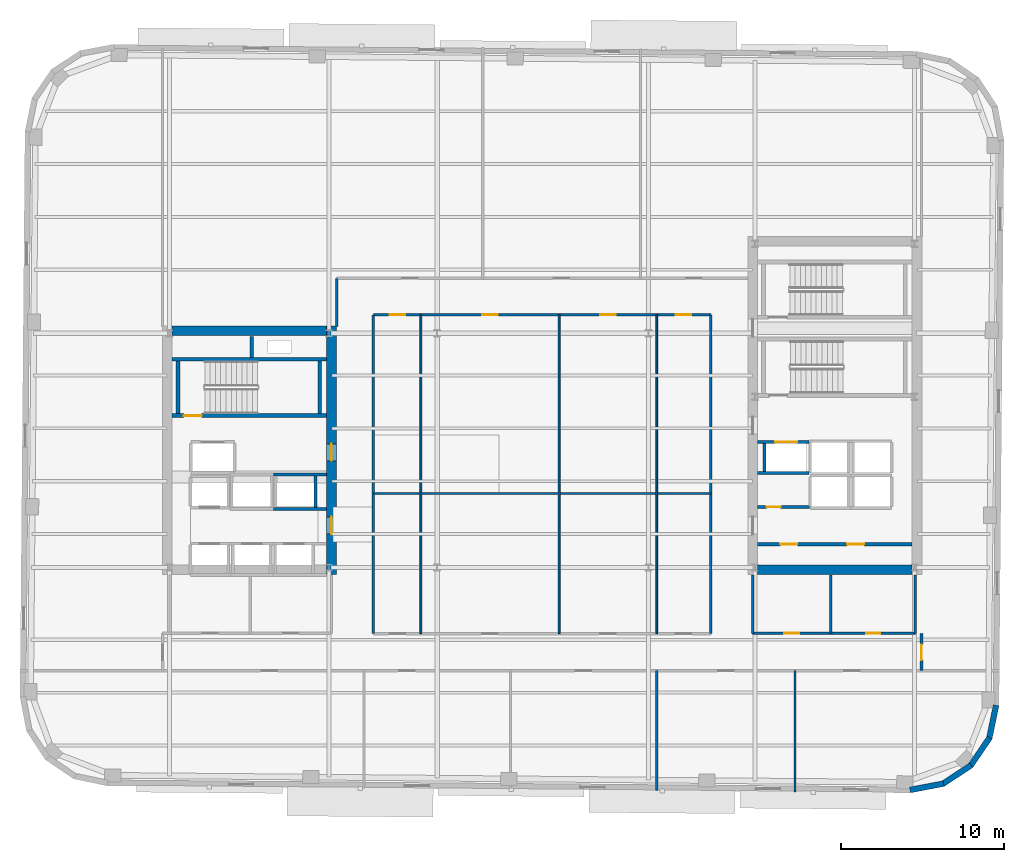
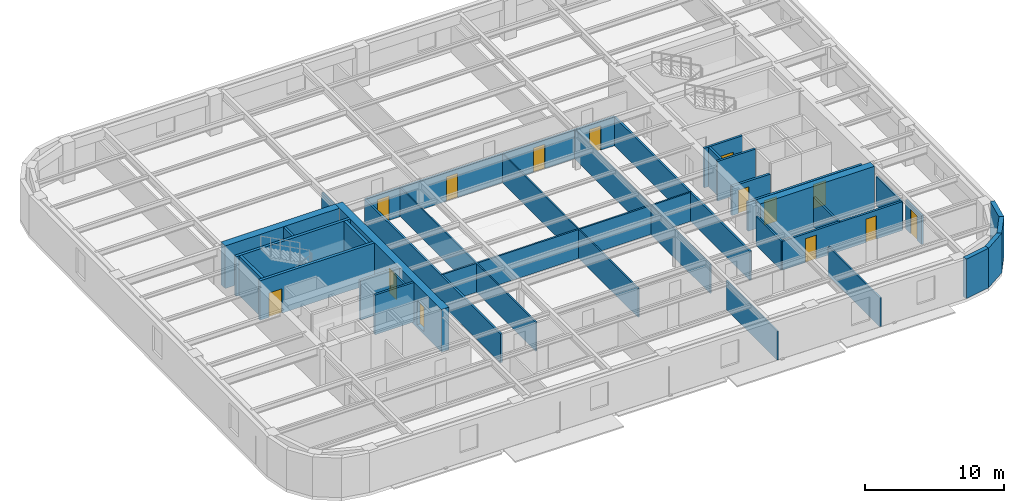
# One storey, part 5 of 11: 35 walls, 14 doors, 14 openings.
"""IFC4 building model written with IfcOpenShell, lengths in metres."""

from ifc_helpers import new_model, si_unit, direction, frame, frame_2d, origin, place, context, subcontext, project, spatial, rectangle, extrude, material, layer, layer_set, type_object, element, fill, save


model = new_model("IFC4")

# Units and contexts
model_context = context("Model", 3, precision=1e-05, world=origin(), true_north=direction((0.0, 1.0)))
body_context = subcontext(model_context, "Body", "Model", "MODEL_VIEW")
ifc_project = project(units=[si_unit("LENGTHUNIT", "METRE"), si_unit("AREAUNIT", "SQUARE_METRE"), si_unit("VOLUMEUNIT", "CUBIC_METRE"), si_unit("PLANEANGLEUNIT", "RADIAN"), si_unit("MASSUNIT", "GRAM", prefix="KILO")], contexts=[model_context])

# Site, building, storey
site_placement = place(None, origin())
site = spatial("IfcSite", under=ifc_project, at=site_placement, CompositionType="ELEMENT")
building_placement = place(site_placement, origin())
building = spatial("IfcBuilding", under=site, at=building_placement, Name="Kolvaren Arena Tower", CompositionType="ELEMENT")
storey_placement = place(building_placement, frame((0.0, 0.0, 173.449951171875)))
storey = spatial("IfcBuildingStorey", under=building, at=storey_placement, Name="L41", CompositionType="ELEMENT", Elevation=173.449951171875)

# Wall
ifc_material_1 = material(Name="Gypsum board acoustic assembly", Category="gypsum")
ifc_layer_1 = layer(ifc_material_1, 0.159912109375)
ifc_layer_set_1 = layer_set([ifc_layer_1], Name="Gypsum board acoustic assembly")
wall_type_1 = type_object("IfcWallType", Name="CORR-160", PredefinedType="PARTITIONING", material=ifc_layer_set_1)
wall_1_placement = place(storey_placement, frame((24.820068359375, 34.25, 0.0), z_axis=(0.0, 0.0, 1.0), x_axis=(0.0, 1.0, 0.0)))
element("IfcWall", 1, at=wall_1_placement, inside=storey, type_object=wall_type_1, Name="Interior Partition Wall (L41)", PredefinedType="PARTITIONING", context=body_context, shape_type="SweptSolid", body=[
    extrude(rectangle(XDim=2.969970703125, YDim=0.159912109375, at=frame_2d((1.48486328125, 0.0))), origin(), (0.0, 0.0, 1.0), 2.5400390625),
])

# Wall, openings, doors
wall_2_placement = place(storey_placement, frame((27.080078125, 34.97998046875, 0.0), z_axis=(0.0, 0.0, 1.0), x_axis=(1.0, 0.0, 0.0)))
wall_2 = element("IfcWall", 2, at=wall_2_placement, inside=storey, type_object=wall_type_1, Name="Interior Partition Wall (L41)", PredefinedType="PARTITIONING", context=body_context, shape_type="SweptSolid", body=[
    extrude(rectangle(XDim=20.739990234375, YDim=0.159912109375, at=frame_2d((10.3701171875, 0.0))), origin(), (0.0, 0.0, 1.0), 2.5400390625),
])
opening_1_placement = place(wall_2_placement, frame((0.9951171875, 0.0, 0.0)))
opening_1 = element("IfcOpeningElement", 3, at=opening_1_placement, cuts=wall_2, Name="Opening D05", PredefinedType="OPENING", context=body_context, shape_type="SweptSolid", body=[
    extrude(rectangle(XDim=0.949951171875, YDim=2.14990234375, at=frame_2d((0.47509765625, 1.074951171875))), frame((0.0, 0.08984375, 0.0), z_axis=(0.0, -1.0, 0.0), x_axis=(1.0, 0.0, 0.0)), (0.0, 0.0, 1.0), 0.179931640625),
])
opening_2_placement = place(wall_2_placement, frame((6.695068359375, 0.0, 0.0)))
opening_2 = element("IfcOpeningElement", 4, at=opening_2_placement, cuts=wall_2, Name="Opening D05", PredefinedType="OPENING", context=body_context, shape_type="SweptSolid", body=[
    extrude(rectangle(XDim=0.949951171875, YDim=2.14990234375, at=frame_2d((0.47509765625, 1.074951171875))), frame((0.0, 0.08984375, 0.0), z_axis=(0.0, -1.0, 0.0), x_axis=(1.0, 0.0, 0.0)), (0.0, 0.0, 1.0), 0.179931640625),
])
opening_3_placement = place(wall_2_placement, frame((13.945068359375, 0.0, 0.0)))
opening_3 = element("IfcOpeningElement", 5, at=opening_3_placement, cuts=wall_2, Name="Opening D05", PredefinedType="OPENING", context=body_context, shape_type="SweptSolid", body=[
    extrude(rectangle(XDim=0.949951171875, YDim=2.14990234375, at=frame_2d((0.47509765625, 1.074951171875))), frame((0.0, 0.08984375, 0.0), z_axis=(0.0, -1.0, 0.0), x_axis=(1.0, 0.0, 0.0)), (0.0, 0.0, 1.0), 0.179931640625),
])
opening_4_placement = place(wall_2_placement, frame((18.594970703125, 0.0, 0.0)))
opening_4 = element("IfcOpeningElement", 6, at=opening_4_placement, cuts=wall_2, Name="Opening D05", PredefinedType="OPENING", context=body_context, shape_type="SweptSolid", body=[
    extrude(rectangle(XDim=0.949951171875, YDim=2.14990234375, at=frame_2d((0.47509765625, 1.074951171875))), frame((0.0, 0.08984375, 0.0), z_axis=(0.0, -1.0, 0.0), x_axis=(1.0, 0.0, 0.0)), (0.0, 0.0, 1.0), 0.179931640625),
])
ifc_material_2 = material(Name="Solid-core oak acoustic office door", Category="wood")
door_type_1 = type_object("IfcDoorType", Name="DOOR-OF-095", OperationType="NOTDEFINED", PredefinedType="DOOR", material=ifc_material_2)
door_1_placement = place(opening_1_placement, origin())
door_1 = element("IfcDoor", 7, at=door_1_placement, inside=storey, type_object=door_type_1, Name="Wellness Room Door (L41)", OperationType="SINGLE_SWING_LEFT", OverallHeight=2.14990234375, OverallWidth=0.949951171875, PredefinedType="DOOR", context=body_context, shape_type="SweptSolid", body=[
    extrude(rectangle(XDim=0.949951171875, YDim=2.14990234375, at=frame_2d((0.47509765625, 1.074951171875))), frame((0.0, 0.02490234375, 0.0), z_axis=(0.0, -1.0, 0.0), x_axis=(1.0, 0.0, 0.0)), (0.0, 0.0, 1.0), 0.050048828125),
])
fill(opening_1, door_1)
door_2_placement = place(opening_2_placement, origin())
door_2 = element("IfcDoor", 8, at=door_2_placement, inside=storey, type_object=door_type_1, Name="Boardroom Door (L41)", OperationType="SINGLE_SWING_LEFT", OverallHeight=2.14990234375, OverallWidth=0.949951171875, PredefinedType="DOOR", context=body_context, shape_type="SweptSolid", body=[
    extrude(rectangle(XDim=0.949951171875, YDim=2.14990234375, at=frame_2d((0.47509765625, 1.074951171875))), frame((0.0, 0.02490234375, 0.0), z_axis=(0.0, -1.0, 0.0), x_axis=(1.0, 0.0, 0.0)), (0.0, 0.0, 1.0), 0.050048828125),
])
fill(opening_2, door_2)
door_3_placement = place(opening_3_placement, origin())
door_3 = element("IfcDoor", 9, at=door_3_placement, inside=storey, type_object=door_type_1, Name="Client Lounge Door (L41)", OperationType="SINGLE_SWING_LEFT", OverallHeight=2.14990234375, OverallWidth=0.949951171875, PredefinedType="DOOR", context=body_context, shape_type="SweptSolid", body=[
    extrude(rectangle(XDim=0.949951171875, YDim=2.14990234375, at=frame_2d((0.47509765625, 1.074951171875))), frame((0.0, 0.02490234375, 0.0), z_axis=(0.0, -1.0, 0.0), x_axis=(1.0, 0.0, 0.0)), (0.0, 0.0, 1.0), 0.050048828125),
])
fill(opening_3, door_3)
door_4_placement = place(opening_4_placement, origin())
door_4 = element("IfcDoor", 10, at=door_4_placement, inside=storey, type_object=door_type_1, Name="Wellness Room Door (L41)", OperationType="SINGLE_SWING_LEFT", OverallHeight=2.14990234375, OverallWidth=0.949951171875, PredefinedType="DOOR", context=body_context, shape_type="SweptSolid", body=[
    extrude(rectangle(XDim=0.949951171875, YDim=2.14990234375, at=frame_2d((0.47509765625, 1.074951171875))), frame((0.0, 0.02490234375, 0.0), z_axis=(0.0, -1.0, 0.0), x_axis=(1.0, 0.0, 0.0)), (0.0, 0.0, 1.0), 0.050048828125),
])
fill(opening_4, door_4)

# Walls
for number, where, z_axis, x_axis, name in (
    (11, (27.080078125, 15.3798828125, 0.0), (0.0, 0.0, 1.0), (0.0, 1.0, 0.0), "Interior Partition Wall (L41)"),
    (12, (47.820068359375, 15.3798828125, 0.0), (0.0, 0.0, 1.0), (0.0, 1.0, 0.0), "Interior Partition Wall (L41)"),
):
    element("IfcWall", number, at=place(storey_placement, frame(where, z_axis=z_axis, x_axis=x_axis)), inside=storey, type_object=wall_type_1, Name=name, PredefinedType="PARTITIONING", context=body_context, shape_type="SweptSolid", body=[
        extrude(rectangle(XDim=19.60009765625, YDim=0.159912109375, at=frame_2d((9.800048828125, 0.0))), origin(), (0.0, 0.0, 1.0), 2.5400390625),
    ])

# Wall, opening, door
wall_3_placement = place(storey_placement, frame((60.780029296875, 13.10009765625, 0.0), z_axis=(0.0, 0.0, 1.0), x_axis=(0.0, 1.0, 0.0)))
wall_3 = element("IfcWall", 13, at=wall_3_placement, inside=storey, type_object=wall_type_1, Name="Interior Partition Wall (L41)", PredefinedType="PARTITIONING", context=body_context, shape_type="SweptSolid", body=[
    extrude(rectangle(XDim=2.2998046875, YDim=0.159912109375, at=frame_2d((1.14990234375, 0.0))), origin(), (0.0, 0.0, 1.0), 2.5400390625),
])
opening_5_placement = place(wall_3_placement, frame((0.64990234375, 0.0, 0.0)))
opening_5 = element("IfcOpeningElement", 14, at=opening_5_placement, cuts=wall_3, Name="Opening D05", PredefinedType="OPENING", context=body_context, shape_type="SweptSolid", body=[
    extrude(rectangle(XDim=0.949951171875, YDim=2.14990234375, at=frame_2d((0.47509765625, 1.074951171875))), frame((0.0, 0.08984375, 0.0), z_axis=(0.0, -1.0, 0.0), x_axis=(1.0, 0.0, 0.0)), (0.0, 0.0, 1.0), 0.179931640625),
])
door_5_placement = place(opening_5_placement, origin())
door_5 = element("IfcDoor", 15, at=door_5_placement, inside=storey, type_object=door_type_1, Name="East Wing Studio Door (L41)", OperationType="SINGLE_SWING_RIGHT", OverallHeight=2.14990234375, OverallWidth=0.949951171875, PredefinedType="DOOR", context=body_context, shape_type="SweptSolid", body=[
    extrude(rectangle(XDim=0.949951171875, YDim=2.14990234375, at=frame_2d((0.47509765625, 1.074951171875))), frame((0.0, 0.02490234375, 0.0), z_axis=(0.0, -1.0, 0.0), x_axis=(1.0, 0.0, 0.0)), (0.0, 0.0, 1.0), 0.050048828125),
])
fill(opening_5, door_5)

# Wall, openings, doors
ifc_material_3 = material(Name="Concrete 60 MPa", Category="concrete")
ifc_layer_2 = layer(ifc_material_3, 0.60009765625)
ifc_layer_set_2 = layer_set([ifc_layer_2], Name="Concrete 60 MPa")
wall_type_2 = type_object("IfcWallType", Name="CWALL-600", PredefinedType="SHEAR", material=ifc_layer_set_2)
wall_4_placement = place(storey_placement, frame((24.5, 19.0, -0.27001953125), z_axis=(0.0, 0.0, 1.0), x_axis=(0.0, 1.0, 0.0)))
wall_4 = element("IfcWall", 16, at=wall_4_placement, inside=storey, type_object=wall_type_2, Name="Core Shear Wall WC-EAST (L41)", PredefinedType="SHEAR", context=body_context, shape_type="SweptSolid", body=[
    extrude(rectangle(XDim=15.300048828125, YDim=0.60009765625, at=frame_2d((7.64990234375, 0.0))), origin(), (0.0, 0.0, 1.0), 3.75),
])
opening_6_placement = place(wall_4_placement, frame((2.5, 0.0, 0.27001953125)))
opening_6 = element("IfcOpeningElement", 17, at=opening_6_placement, cuts=wall_4, Name="Opening D04", PredefinedType="OPENING", context=body_context, shape_type="SweptSolid", body=[
    extrude(rectangle(XDim=1.050048828125, YDim=2.14990234375, at=frame_2d((0.52490234375, 1.074951171875))), frame((0.0, 0.31005859375, 0.0), z_axis=(0.0, -1.0, 0.0), x_axis=(1.0, 0.0, 0.0)), (0.0, 0.0, 1.0), 0.6201171875),
])
opening_7_placement = place(wall_4_placement, frame((7.0, 0.0, 0.27001953125)))
opening_7 = element("IfcOpeningElement", 18, at=opening_7_placement, cuts=wall_4, Name="Opening D04", PredefinedType="OPENING", context=body_context, shape_type="SweptSolid", body=[
    extrude(rectangle(XDim=1.050048828125, YDim=2.14990234375, at=frame_2d((0.52490234375, 1.074951171875))), frame((0.0, 0.31005859375, 0.0), z_axis=(0.0, -1.0, 0.0), x_axis=(1.0, 0.0, 0.0)), (0.0, 0.0, 1.0), 0.6201171875),
])
ifc_material_4 = material(Name="Fire-rated steel lobby door", Category="steel")
door_type_2 = type_object("IfcDoorType", Name="DOOR-FF-105", OperationType="NOTDEFINED", PredefinedType="DOOR", material=ifc_material_4)
door_6_placement = place(opening_6_placement, origin())
door_6 = element("IfcDoor", 19, at=door_6_placement, inside=storey, type_object=door_type_2, Name="West Lift Lobby Fire Door (L41)", OperationType="SINGLE_SWING_LEFT", OverallHeight=2.14990234375, OverallWidth=1.050048828125, PredefinedType="DOOR", context=body_context, shape_type="SweptSolid", body=[
    extrude(rectangle(XDim=1.050048828125, YDim=2.14990234375, at=frame_2d((0.52490234375, 1.074951171875))), frame((0.0, 0.02490234375, 0.0), z_axis=(0.0, -1.0, 0.0), x_axis=(1.0, 0.0, 0.0)), (0.0, 0.0, 1.0), 0.050048828125),
])
fill(opening_6, door_6)
door_7_placement = place(opening_7_placement, origin())
door_7 = element("IfcDoor", 20, at=door_7_placement, inside=storey, type_object=door_type_2, Name="West Firefighter Vestibule Door (L41)", OperationType="SINGLE_SWING_RIGHT", OverallHeight=2.14990234375, OverallWidth=1.050048828125, PredefinedType="DOOR", context=body_context, shape_type="SweptSolid", body=[
    extrude(rectangle(XDim=1.050048828125, YDim=2.14990234375, at=frame_2d((0.52490234375, 1.074951171875))), frame((0.0, 0.02490234375, 0.0), z_axis=(0.0, -1.0, 0.0), x_axis=(1.0, 0.0, 0.0)), (0.0, 0.0, 1.0), 0.050048828125),
])
fill(opening_7, door_7)

# Walls
for number, where, z_axis, x_axis, name in (
    (21, (14.699951171875, 34.0, -0.27001953125), (0.0, 0.0, 1.0), (1.0, 0.0, 0.0), "Core Shear Wall WC-NORTH (L41)"),
    (22, (50.699951171875, 19.300048828125, -0.27001953125), (0.0, 0.0, 1.0), (1.0, 0.0, 0.0), "Core Shear Wall EC-SOUTH (L41)"),
):
    element("IfcWall", number, at=place(storey_placement, frame(where, z_axis=z_axis, x_axis=x_axis)), inside=storey, type_object=wall_type_2, Name=name, PredefinedType="SHEAR", context=body_context, shape_type="SweptSolid", body=[
        extrude(rectangle(XDim=9.5, YDim=0.60009765625, at=frame_2d((4.75, 0.0))), origin(), (0.0, 0.0, 1.0), 3.75),
    ])
ifc_material_5 = material(Name="Precast concrete C50/60", Category="concrete")
ifc_layer_3 = layer(ifc_material_5, 0.360107421875)
ifc_layer_set_3 = layer_set([ifc_layer_3], Name="Precast concrete C50/60")
wall_type_3 = type_object("IfcWallType", Name="EXT-PIER2", PredefinedType="SOLIDWALL", material=ifc_layer_set_3)
wall_5_placement = place(storey_placement, frame((62.136474609375, 6.155029296875, 0.0), z_axis=(0.0, 0.0, 1.0), x_axis=(-0.98246713518, -0.186435855703, 0.0)))
element("IfcWall", 23, at=wall_5_placement, inside=storey, type_object=wall_type_3, Name="Exterior Precast Masonry-Frame Wall (L41)", PredefinedType="SOLIDWALL", context=body_context, shape_type="SweptSolid", body=[
    extrude(rectangle(XDim=2.10693359375, YDim=0.360107421875, at=frame_2d((1.053466796875, 0.0))), origin(), (0.0, 0.0, 1.0), 3.47998046875),
])
wall_6_placement = place(storey_placement, frame((63.83349609375, 7.2841796875, 0.0), z_axis=(0.0, 0.0, 1.0), x_axis=(-0.836303589916, -0.548266637224, 0.0)))
element("IfcWall", 24, at=wall_6_placement, inside=storey, type_object=wall_type_3, Name="Exterior Precast Masonry-Frame Wall (L41)", PredefinedType="SOLIDWALL", context=body_context, shape_type="SweptSolid", body=[
    extrude(rectangle(XDim=2.107177734375, YDim=0.360107421875, at=frame_2d((1.0537109375, 0.0))), origin(), (0.0, 0.0, 1.0), 3.47998046875),
])
for number, where, z_axis, x_axis, name in (
    (25, (64.968994140625, 8.9765625, 0.0), (0.0, 0.0, 1.0), (-0.56277581689, -0.826609569219, 0.0), "Exterior Precast Masonry-Frame Wall (L41)"),
    (26, (65.370849609375, 10.974609375, 0.0), (0.0, 0.0, 1.0), (-0.203709000552, -0.979031482177, 0.0), "Exterior Precast Masonry-Frame Wall (L41)"),
):
    element("IfcWall", number, at=place(storey_placement, frame(where, z_axis=z_axis, x_axis=x_axis)), inside=storey, type_object=wall_type_3, Name=name, PredefinedType="SOLIDWALL", context=body_context, shape_type="SweptSolid", body=[
        extrude(rectangle(XDim=2.10693359375, YDim=0.360107421875, at=frame_2d((1.053466796875, 0.0))), origin(), (0.0, 0.0, 1.0), 3.47998046875),
    ])

# Wall, openings, doors
ifc_material_6 = material(Name="Concrete 40 MPa", Category="concrete")
ifc_layer_4 = layer(ifc_material_6, 0.199951171875)
ifc_layer_set_4 = layer_set([ifc_layer_4], Name="Concrete 40 MPa")
wall_type_4 = type_object("IfcWallType", Name="LOBBY-200", PredefinedType="SOLIDWALL", material=ifc_layer_set_4)
wall_7_placement = place(storey_placement, frame((50.699951171875, 20.8798828125, 0.0), z_axis=(0.0, 0.0, 1.0), x_axis=(1.0, 0.0, 0.0)))
wall_7 = element("IfcWall", 27, at=wall_7_placement, inside=storey, type_object=wall_type_4, Name="Core Shaft Wall (L41)", PredefinedType="SOLIDWALL", context=body_context, shape_type="SweptSolid", body=[
    extrude(rectangle(XDim=9.5, YDim=0.199951171875, at=frame_2d((4.75, 0.0))), origin(), (0.0, 0.0, 1.0), 2.5400390625),
])
opening_8_placement = place(wall_7_placement, frame((1.39990234375, 0.0, 0.0)))
opening_8 = element("IfcOpeningElement", 28, at=opening_8_placement, cuts=wall_7, Name="Opening D04", PredefinedType="OPENING", context=body_context, shape_type="SweptSolid", body=[
    extrude(rectangle(XDim=1.050048828125, YDim=2.14990234375, at=frame_2d((0.52490234375, 1.074951171875))), frame((0.0, 0.10986328125, 0.0), z_axis=(0.0, -1.0, 0.0), x_axis=(1.0, 0.0, 0.0)), (0.0, 0.0, 1.0), 0.219970703125),
])
opening_9_placement = place(wall_7_placement, frame((5.5, 0.0, 0.0)))
opening_9 = element("IfcOpeningElement", 29, at=opening_9_placement, cuts=wall_7, Name="Opening D04", PredefinedType="OPENING", context=body_context, shape_type="SweptSolid", body=[
    extrude(rectangle(XDim=1.050048828125, YDim=2.14990234375, at=frame_2d((0.52490234375, 1.074951171875))), frame((0.0, 0.10986328125, 0.0), z_axis=(0.0, -1.0, 0.0), x_axis=(1.0, 0.0, 0.0)), (0.0, 0.0, 1.0), 0.219970703125),
])
door_8_placement = place(opening_8_placement, origin())
door_8 = element("IfcDoor", 30, at=door_8_placement, inside=storey, type_object=door_type_2, Name="East Telecom Room Fire Door (L41)", OperationType="SINGLE_SWING_RIGHT", OverallHeight=2.14990234375, OverallWidth=1.050048828125, PredefinedType="DOOR", context=body_context, shape_type="SweptSolid", body=[
    extrude(rectangle(XDim=1.050048828125, YDim=2.14990234375, at=frame_2d((0.52490234375, 1.074951171875))), frame((0.0, 0.02490234375, 0.0), z_axis=(0.0, -1.0, 0.0), x_axis=(1.0, 0.0, 0.0)), (0.0, 0.0, 1.0), 0.050048828125),
])
fill(opening_8, door_8)
door_9_placement = place(opening_9_placement, origin())
door_9 = element("IfcDoor", 31, at=door_9_placement, inside=storey, type_object=door_type_2, Name="East Records Room Fire Door (L41)", OperationType="SINGLE_SWING_LEFT", OverallHeight=2.14990234375, OverallWidth=1.050048828125, PredefinedType="DOOR", context=body_context, shape_type="SweptSolid", body=[
    extrude(rectangle(XDim=1.050048828125, YDim=2.14990234375, at=frame_2d((0.52490234375, 1.074951171875))), frame((0.0, 0.02490234375, 0.0), z_axis=(0.0, -1.0, 0.0), x_axis=(1.0, 0.0, 0.0)), (0.0, 0.0, 1.0), 0.050048828125),
])
fill(opening_9, door_9)

# Wall, opening, door
wall_8_placement = place(storey_placement, frame((50.699951171875, 23.159912109375, 0.0), z_axis=(0.0, 0.0, 1.0), x_axis=(1.0, 0.0, 0.0)))
wall_8 = element("IfcWall", 32, at=wall_8_placement, inside=storey, type_object=wall_type_4, Name="Core Shaft Wall (L41)", PredefinedType="SOLIDWALL", context=body_context, shape_type="SweptSolid", body=[
    extrude(rectangle(XDim=3.179931640625, YDim=0.199951171875, at=frame_2d((1.58984375, 0.0))), origin(), (0.0, 0.0, 1.0), 2.5400390625),
])
opening_10_placement = place(wall_8_placement, frame((0.550048828125, 0.0, 0.0)))
opening_10 = element("IfcOpeningElement", 33, at=opening_10_placement, cuts=wall_8, Name="Opening D09", PredefinedType="OPENING", context=body_context, shape_type="SweptSolid", body=[
    extrude(rectangle(XDim=0.860107421875, YDim=2.050048828125, at=frame_2d((0.43017578125, 1.02490234375))), frame((0.0, 0.10986328125, 0.0), z_axis=(0.0, -1.0, 0.0), x_axis=(1.0, 0.0, 0.0)), (0.0, 0.0, 1.0), 0.219970703125),
])
ifc_material_7 = material(Name="Fire-rated steel riser access door", Category="steel")
door_type_3 = type_object("IfcDoorType", Name="DOOR-RS-086", OperationType="NOTDEFINED", PredefinedType="DOOR", material=ifc_material_7)
door_10_placement = place(opening_10_placement, origin())
door_10 = element("IfcDoor", 34, at=door_10_placement, inside=storey, type_object=door_type_3, Name="East AV Riser Closet Door (L41)", OperationType="SINGLE_SWING_LEFT", OverallHeight=2.050048828125, OverallWidth=0.860107421875, PredefinedType="DOOR", context=body_context, shape_type="SweptSolid", body=[
    extrude(rectangle(XDim=0.860107421875, YDim=2.050048828125, at=frame_2d((0.43017578125, 1.02490234375))), frame((0.0, 0.02490234375, 0.0), z_axis=(0.0, -1.0, 0.0), x_axis=(1.0, 0.0, 0.0)), (0.0, 0.0, 1.0), 0.050048828125),
])
fill(opening_10, door_10)

# Walls
ifc_material_8 = material(Name="Gypsum board partition assembly", Category="gypsum")
ifc_layer_5 = layer(ifc_material_8, 0.114990234375)
ifc_layer_set_5 = layer_set([ifc_layer_5], Name="Gypsum board partition assembly")
wall_type_5 = type_object("IfcWallType", Name="PART-115", PredefinedType="PARTITIONING", material=ifc_layer_set_5)
for number, where, z_axis, x_axis, name in (
    (35, (30.0, 15.3798828125, 0.0), (0.0, 0.0, 1.0), (0.0, 1.0, 0.0), "Interior Partition Wall (L41)"),
    (36, (38.5, 15.3798828125, 0.0), (0.0, 0.0, 1.0), (0.0, 1.0, 0.0), "Interior Partition Wall (L41)"),
    (37, (44.5, 15.3798828125, 0.0), (0.0, 0.0, 1.0), (0.0, 1.0, 0.0), "Interior Partition Wall (L41)"),
):
    element("IfcWall", number, at=place(storey_placement, frame(where, z_axis=z_axis, x_axis=x_axis)), inside=storey, type_object=wall_type_5, Name=name, PredefinedType="PARTITIONING", context=body_context, shape_type="SweptSolid", body=[
        extrude(rectangle(XDim=19.60009765625, YDim=0.114990234375, at=frame_2d((9.800048828125, 0.0))), origin(), (0.0, 0.0, 1.0), 2.5400390625),
    ])
ifc_layer_6 = layer(ifc_material_8, 0.135009765625)
ifc_layer_set_6 = layer_set([ifc_layer_6], Name="Gypsum board partition assembly")
wall_type_6 = type_object("IfcWallType", Name="PART-135", PredefinedType="PARTITIONING", material=ifc_layer_set_6)
wall_9_placement = place(storey_placement, frame((44.5, 5.721435546875, 0.0), z_axis=(0.0, 0.0, 1.0), x_axis=(0.0, 1.0, 0.0)))
element("IfcWall", 38, at=wall_9_placement, inside=storey, type_object=wall_type_6, Name="Interior Partition Wall (L41)", PredefinedType="PARTITIONING", context=body_context, shape_type="SweptSolid", body=[
    extrude(rectangle(XDim=7.378662109375, YDim=0.135009765625, at=frame_2d((3.689453125, 0.0))), origin(), (0.0, 0.0, 1.0), 2.5400390625),
])
wall_10_placement = place(storey_placement, frame((53.0, 5.647216796875, 0.0), z_axis=(0.0, 0.0, 1.0), x_axis=(0.0, 1.0, 0.0)))
element("IfcWall", 39, at=wall_10_placement, inside=storey, type_object=wall_type_6, Name="Interior Partition Wall (L41)", PredefinedType="PARTITIONING", context=body_context, shape_type="SweptSolid", body=[
    extrude(rectangle(XDim=7.452880859375, YDim=0.135009765625, at=frame_2d((3.7265625, 0.0))), origin(), (0.0, 0.0, 1.0), 2.5400390625),
])
wall_11_placement = place(storey_placement, frame((27.080078125, 24.0, 0.0), z_axis=(0.0, 0.0, 1.0), x_axis=(1.0, 0.0, 0.0)))
element("IfcWall", 40, at=wall_11_placement, inside=storey, type_object=wall_type_6, Name="Interior Partition Wall (L41)", PredefinedType="PARTITIONING", context=body_context, shape_type="SweptSolid", body=[
    extrude(rectangle(XDim=20.739990234375, YDim=0.135009765625, at=frame_2d((10.3701171875, 0.0))), origin(), (0.0, 0.0, 1.0), 2.5400390625),
])

# Wall, opening, door
ifc_material_9 = material(Name="Concrete 45 MPa", Category="concrete")
ifc_layer_7 = layer(ifc_material_9, 0.25)
ifc_layer_set_7 = layer_set([ifc_layer_7], Name="Concrete 45 MPa")
wall_type_7 = type_object("IfcWallType", Name="SHAFT-250", PredefinedType="SOLIDWALL", material=ifc_layer_set_7)
wall_12_placement = place(storey_placement, frame((24.199951171875, 28.780029296875, 0.0), z_axis=(0.0, 0.0, 1.0), x_axis=(-1.0, 0.0, 0.0)))
wall_12 = element("IfcWall", 41, at=wall_12_placement, inside=storey, type_object=wall_type_7, Name="Core Shaft Wall (L41)", PredefinedType="SOLIDWALL", context=body_context, shape_type="SweptSolid", body=[
    extrude(rectangle(XDim=9.5, YDim=0.239990234375, at=frame_2d((4.75, 0.0))), origin(), (0.0, 0.0, 1.0), 3.47998046875),
])
opening_11_placement = place(wall_12_placement, frame((7.679931640625, 0.0, 0.0)))
opening_11 = element("IfcOpeningElement", 42, at=opening_11_placement, cuts=wall_12, Name="Opening D03", PredefinedType="OPENING", context=body_context, shape_type="SweptSolid", body=[
    extrude(rectangle(XDim=1.10009765625, YDim=2.14990234375, at=frame_2d((0.550048828125, 1.074951171875))), frame((0.0, 0.1298828125, 0.0), z_axis=(0.0, -1.0, 0.0), x_axis=(1.0, 0.0, 0.0)), (0.0, 0.0, 1.0), 0.260009765625),
])
ifc_material_10 = material(Name="Fire-rated steel exit stair door", Category="steel")
door_type_4 = type_object("IfcDoorType", Name="DOOR-ST-110", OperationType="NOTDEFINED", PredefinedType="DOOR", material=ifc_material_10)
door_11_placement = place(opening_11_placement, origin())
door_11 = element("IfcDoor", 43, at=door_11_placement, inside=storey, type_object=door_type_4, Name="Stair ST-W1 Fire Door (L41)", OperationType="SINGLE_SWING_RIGHT", OverallHeight=2.14990234375, OverallWidth=1.10009765625, PredefinedType="DOOR", context=body_context, shape_type="SweptSolid", body=[
    extrude(rectangle(XDim=1.10009765625, YDim=2.14990234375, at=frame_2d((0.550048828125, 1.074951171875))), frame((0.0, 0.02490234375, 0.0), z_axis=(0.0, -1.0, 0.0), x_axis=(1.0, 0.0, 0.0)), (0.0, 0.0, 1.0), 0.050048828125),
])
fill(opening_11, door_11)

# Walls
wall_13_placement = place(storey_placement, frame((14.699951171875, 32.25, 0.0), z_axis=(0.0, 0.0, 1.0), x_axis=(1.0, 0.0, 0.0)))
element("IfcWall", 44, at=wall_13_placement, inside=storey, type_object=wall_type_7, Name="Core Shaft Wall (L41)", PredefinedType="SOLIDWALL", context=body_context, shape_type="SweptSolid", body=[
    extrude(rectangle(XDim=9.5, YDim=0.239990234375, at=frame_2d((4.75, 0.0))), origin(), (0.0, 0.0, 1.0), 3.47998046875),
])
for number, where, z_axis, x_axis, name in (
    (45, (15.06005859375, 28.89990234375, 0.0), (0.0, 0.0, 1.0), (0.0, 1.0, 0.0), "Core Shaft Wall (L41)"),
    (46, (23.780029296875, 28.89990234375, 0.0), (0.0, 0.0, 1.0), (0.0, 1.0, 0.0), "Core Shaft Wall (L41)"),
):
    element("IfcWall", number, at=place(storey_placement, frame(where, z_axis=z_axis, x_axis=x_axis)), inside=storey, type_object=wall_type_7, Name=name, PredefinedType="SOLIDWALL", context=body_context, shape_type="SweptSolid", body=[
        extrude(rectangle(XDim=3.22998046875, YDim=0.239990234375, at=frame_2d((1.614990234375, 0.0))), origin(), (0.0, 0.0, 1.0), 3.47998046875),
    ])
wall_14_placement = place(storey_placement, frame((19.60009765625, 32.3701171875, 0.0), z_axis=(0.0, 0.0, 1.0), x_axis=(0.0, 1.0, 0.0)))
element("IfcWall", 47, at=wall_14_placement, inside=storey, type_object=wall_type_7, Name="Core Shaft Wall (L41)", PredefinedType="SOLIDWALL", context=body_context, shape_type="SweptSolid", body=[
    extrude(rectangle(XDim=1.27978515625, YDim=0.199951171875, at=frame_2d((0.639892578125, 0.0))), origin(), (0.0, 0.0, 1.0), 3.47998046875),
])

# Wall, opening, door
wall_15_placement = place(storey_placement, frame((50.699951171875, 27.155029296875, 0.0), z_axis=(0.0, 0.0, 1.0), x_axis=(1.0, 0.0, 0.0)))
wall_15 = element("IfcWall", 48, at=wall_15_placement, inside=storey, type_object=wall_type_7, Name="Core Shaft Wall (L41)", PredefinedType="SOLIDWALL", context=body_context, shape_type="SweptSolid", body=[
    extrude(rectangle(XDim=3.1650390625, YDim=0.179931640625, at=frame_2d((1.58251953125, 0.0))), origin(), (0.0, 0.0, 1.0), 3.47998046875),
])
opening_12_placement = place(wall_15_placement, frame((1.0849609375, 0.0, 0.0)))
opening_12 = element("IfcOpeningElement", 49, at=opening_12_placement, cuts=wall_15, Name="Opening LD2", PredefinedType="OPENING", context=body_context, shape_type="SweptSolid", body=[
    extrude(rectangle(XDim=1.35009765625, YDim=2.300048828125, at=frame_2d((0.675048828125, 1.14990234375))), frame((0.0, 0.099853515625, 0.0), z_axis=(0.0, -1.0, 0.0), x_axis=(1.0, 0.0, 0.0)), (0.0, 0.0, 1.0), 0.199951171875),
])
ifc_material_11 = material(Name="Stainless steel firefighter lift landing door", Category="steel")
door_type_5 = type_object("IfcDoorType", Name="DOOR-LD-135", OperationType="DOUBLE_DOOR_SLIDING", PredefinedType="DOOR", material=ifc_material_11)
door_12_placement = place(opening_12_placement, origin())
door_12 = element("IfcDoor", 50, at=door_12_placement, inside=storey, type_object=door_type_5, Name="Firefighter Lift FF-E1 Landing Door (L41)", OperationType="DOUBLE_DOOR_SLIDING", OverallHeight=2.300048828125, OverallWidth=1.35009765625, PredefinedType="DOOR", context=body_context, shape_type="SweptSolid", body=[
    extrude(rectangle(XDim=1.35009765625, YDim=2.300048828125, at=frame_2d((0.675048828125, 1.14990234375))), frame((0.0, 0.02490234375, 0.0), z_axis=(0.0, -1.0, 0.0), x_axis=(1.0, 0.0, 0.0)), (0.0, 0.0, 1.0), 0.050048828125),
])
fill(opening_12, door_12)

# Walls
wall_16_placement = place(storey_placement, frame((50.699951171875, 25.2451171875, 0.0), z_axis=(0.0, 0.0, 1.0), x_axis=(1.0, 0.0, 0.0)))
element("IfcWall", 51, at=wall_16_placement, inside=storey, type_object=wall_type_7, Name="Core Shaft Wall (L41)", PredefinedType="SOLIDWALL", context=body_context, shape_type="SweptSolid", body=[
    extrude(rectangle(XDim=3.1650390625, YDim=0.179931640625, at=frame_2d((1.58251953125, 0.0))), origin(), (0.0, 0.0, 1.0), 3.47998046875),
])
wall_17_placement = place(storey_placement, frame((51.1298828125, 25.3349609375, 0.0), z_axis=(0.0, 0.0, 1.0), x_axis=(0.0, 1.0, 0.0)))
element("IfcWall", 52, at=wall_17_placement, inside=storey, type_object=wall_type_7, Name="Core Shaft Wall (L41)", PredefinedType="SOLIDWALL", context=body_context, shape_type="SweptSolid", body=[
    extrude(rectangle(XDim=1.72998046875, YDim=0.179931640625, at=frame_2d((0.864990234375, 0.0))), origin(), (0.0, 0.0, 1.0), 3.47998046875),
])
for number, where, z_axis, x_axis, name in (
    (53, (20.949951171875, 25.155029296875, 0.0), (0.0, 0.0, 1.0), (1.0, 0.0, 0.0), "Core Shaft Wall (L41)"),
    (54, (20.949951171875, 23.044921875, 0.0), (0.0, 0.0, 1.0), (1.0, 0.0, 0.0), "Core Shaft Wall (L41)"),
):
    element("IfcWall", number, at=place(storey_placement, frame(where, z_axis=z_axis, x_axis=x_axis)), inside=storey, type_object=wall_type_7, Name=name, PredefinedType="SOLIDWALL", context=body_context, shape_type="SweptSolid", body=[
        extrude(rectangle(XDim=3.25, YDim=0.179931640625, at=frame_2d((1.625, 0.0))), origin(), (0.0, 0.0, 1.0), 3.47998046875),
    ])
wall_18_placement = place(storey_placement, frame((23.530029296875, 23.135009765625, 0.0), z_axis=(0.0, 0.0, 1.0), x_axis=(0.0, 1.0, 0.0)))
element("IfcWall", 55, at=wall_18_placement, inside=storey, type_object=wall_type_7, Name="Core Shaft Wall (L41)", PredefinedType="SOLIDWALL", context=body_context, shape_type="SweptSolid", body=[
    extrude(rectangle(XDim=1.929931640625, YDim=0.179931640625, at=frame_2d((0.96484375, 0.0))), origin(), (0.0, 0.0, 1.0), 3.47998046875),
])

# Wall, openings, doors
wall_19_placement = place(storey_placement, frame((50.39990234375, 15.39990234375, 0.0), z_axis=(0.0, 0.0, 1.0), x_axis=(1.0, 0.0, 0.0)))
wall_19 = element("IfcWall", 56, at=wall_19_placement, inside=storey, type_object=wall_type_7, Name="Interior Partition Wall (L41)", PredefinedType="SOLIDWALL", context=body_context, shape_type="SweptSolid", body=[
    extrude(rectangle(XDim=10.0, YDim=0.179931640625, at=frame_2d((5.0, 0.0))), origin(), (0.0, 0.0, 1.0), 2.5400390625),
])
opening_13_placement = place(wall_19_placement, frame((1.93994140625, 0.0, 0.0)))
opening_13 = element("IfcOpeningElement", 57, at=opening_13_placement, cuts=wall_19, Name="Opening D07", PredefinedType="OPENING", context=body_context, shape_type="SweptSolid", body=[
    extrude(rectangle(XDim=0.919921875, YDim=2.10009765625, at=frame_2d((0.4599609375, 1.050048828125))), frame((0.0, 0.099853515625, 0.0), z_axis=(0.0, -1.0, 0.0), x_axis=(1.0, 0.0, 0.0)), (0.0, 0.0, 1.0), 0.199951171875),
])
opening_14_placement = place(wall_19_placement, frame((6.969970703125, 0.0, 0.0)))
opening_14 = element("IfcOpeningElement", 58, at=opening_14_placement, cuts=wall_19, Name="Opening D09", PredefinedType="OPENING", context=body_context, shape_type="SweptSolid", body=[
    extrude(rectangle(XDim=0.860107421875, YDim=2.050048828125, at=frame_2d((0.43017578125, 1.02490234375))), frame((0.0, 0.099853515625, 0.0), z_axis=(0.0, -1.0, 0.0), x_axis=(1.0, 0.0, 0.0)), (0.0, 0.0, 1.0), 0.199951171875),
])
door_13_placement = place(opening_14_placement, origin())
door_13 = element("IfcDoor", 59, at=door_13_placement, inside=storey, type_object=door_type_3, Name="Electrical Riser Closet Door (L41)", OperationType="SINGLE_SWING_RIGHT", OverallHeight=2.050048828125, OverallWidth=0.860107421875, PredefinedType="DOOR", context=body_context, shape_type="SweptSolid", body=[
    extrude(rectangle(XDim=0.860107421875, YDim=2.050048828125, at=frame_2d((0.43017578125, 1.02490234375))), frame((0.0, 0.02490234375, 0.0), z_axis=(0.0, -1.0, 0.0), x_axis=(1.0, 0.0, 0.0)), (0.0, 0.0, 1.0), 0.050048828125),
])
fill(opening_14, door_13)
ifc_material_12 = material(Name="Laminate universal washroom door", Category="wood")
door_type_6 = type_object("IfcDoorType", Name="DOOR-WC-092", OperationType="NOTDEFINED", PredefinedType="DOOR", material=ifc_material_12)
door_14_placement = place(opening_13_placement, origin())
door_14 = element("IfcDoor", 60, at=door_14_placement, inside=storey, type_object=door_type_6, Name="Cleaner and Janitor Store Door (L41)", OperationType="SINGLE_SWING_LEFT", OverallHeight=2.10009765625, OverallWidth=0.919921875, PredefinedType="DOOR", context=body_context, shape_type="SweptSolid", body=[
    extrude(rectangle(XDim=0.919921875, YDim=2.10009765625, at=frame_2d((0.4599609375, 1.050048828125))), frame((0.0, 0.02490234375, 0.0), z_axis=(0.0, -1.0, 0.0), x_axis=(1.0, 0.0, 0.0)), (0.0, 0.0, 1.0), 0.050048828125),
])
fill(opening_13, door_14)

# Walls
ifc_material_13 = material(Name="Moisture-resistant gypsum assembly", Category="gypsum")
ifc_layer_8 = layer(ifc_material_13, 0.14990234375)
ifc_layer_set_8 = layer_set([ifc_layer_8], Name="Moisture-resistant gypsum assembly")
wall_type_8 = type_object("IfcWallType", Name="WETW-150", PredefinedType="PARTITIONING", material=ifc_layer_set_8)
for number, where, z_axis, x_axis, name in (
    (61, (55.199951171875, 15.39990234375, 0.0), (0.0, 0.0, 1.0), (0.0, 1.0, 0.0), "Interior Partition Wall (L41)"),
    (62, (50.39990234375, 15.39990234375, 0.0), (0.0, 0.0, 1.0), (0.0, 1.0, 0.0), "Interior Partition Wall (L41)"),
    (63, (60.39990234375, 15.39990234375, 0.0), (0.0, 0.0, 1.0), (0.0, 1.0, 0.0), "Interior Partition Wall (L41)"),
):
    element("IfcWall", number, at=place(storey_placement, frame(where, z_axis=z_axis, x_axis=x_axis)), inside=storey, type_object=wall_type_8, Name=name, PredefinedType="PARTITIONING", context=body_context, shape_type="SweptSolid", body=[
        extrude(rectangle(XDim=3.580078125, YDim=0.14990234375, at=frame_2d((1.7900390625, 0.0))), origin(), (0.0, 0.0, 1.0), 2.5400390625),
    ])

save(model, "model.ifc")
